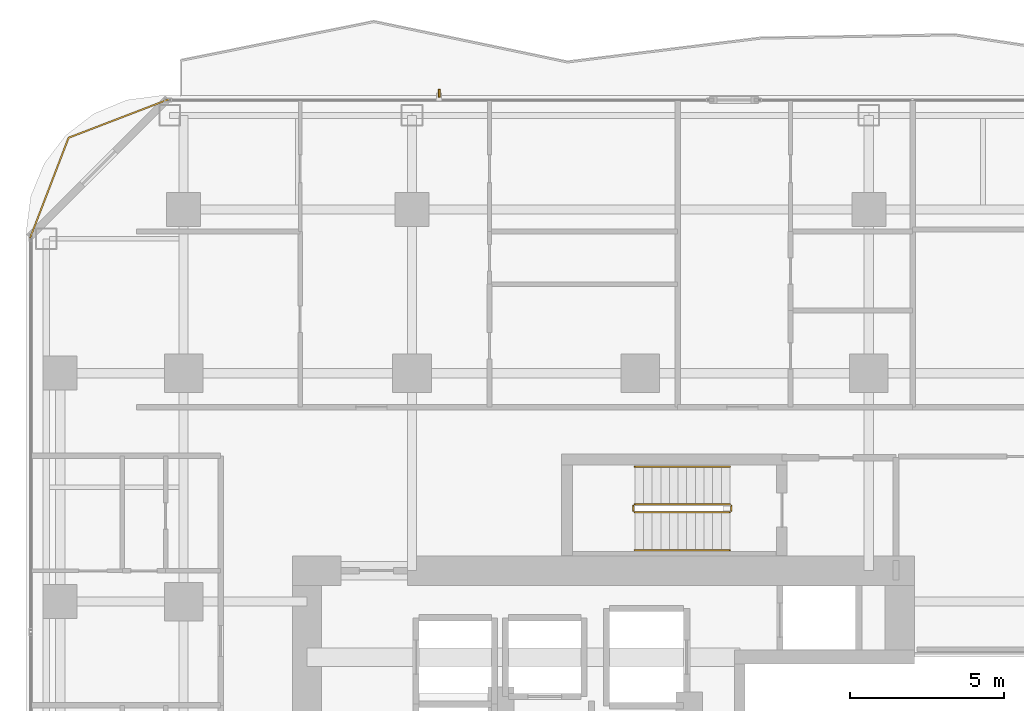
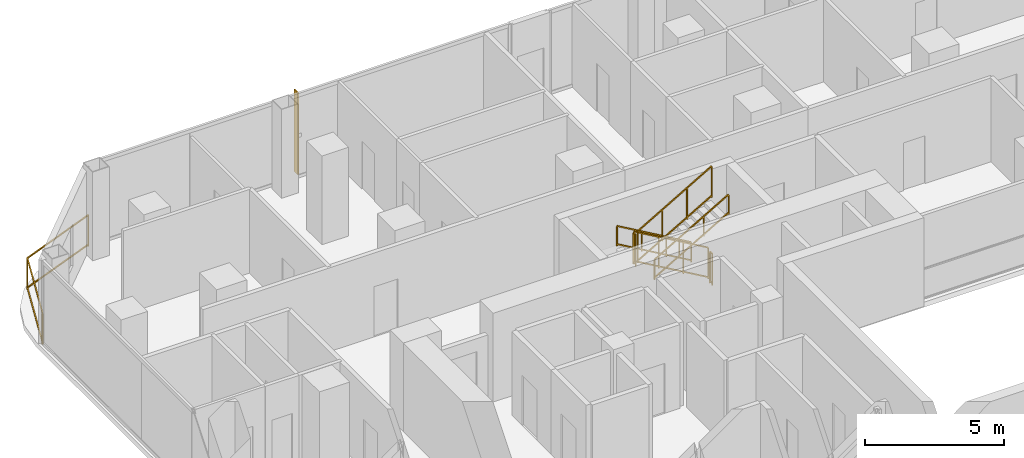
# One storey, part 27 of 29: 7 railings, 1 shading device.
"""IFC4 building model written with IfcOpenShell, lengths in metres."""

from ifc_helpers import new_model, si_unit, direction, frame, origin, origin_2d, place, context, subcontext, project, spatial, rectangle, extrude, material, layer, layer_set, type_object, element, save


model = new_model("IFC4")

# Units and contexts
model_context = context("Model", 3, precision=1e-05, world=origin(), true_north=direction((0.0, 1.0)))
body_context = subcontext(model_context, "Body", "Model", "MODEL_VIEW")
ifc_project = project(units=[si_unit("LENGTHUNIT", "METRE"), si_unit("AREAUNIT", "SQUARE_METRE"), si_unit("VOLUMEUNIT", "CUBIC_METRE"), si_unit("PLANEANGLEUNIT", "RADIAN"), si_unit("MASSUNIT", "GRAM", prefix="KILO")], contexts=[model_context])

# Site, building, storey
site_placement = place(None, origin())
site = spatial("IfcSite", under=ifc_project, at=site_placement, CompositionType="ELEMENT")
building_placement = place(site_placement, origin())
building = spatial("IfcBuilding", under=site, at=building_placement, Name="Khorvyn Point Tower", CompositionType="ELEMENT")
storey_placement = place(building_placement, frame((0.0, 0.0, 144.60009765625)))
storey = spatial("IfcBuildingStorey", under=building, at=storey_placement, Name="L36", CompositionType="ELEMENT", Elevation=144.60009765625)

# Railing
ifc_material_1 = material(Name="Anodised aluminium 6063-T6 and laminated safety glass", Category="aluminium")
railing_type_1 = type_object("IfcRailingType", Name="Laminated Glass and Aluminium Balcony Guardrail 1400", PredefinedType="BALUSTRADE", material=ifc_material_1)
railing_1_placement = place(storey_placement, frame((-15.27587890625, 23.674072265625, 0.0)))
element("IfcRailing", 1, at=railing_1_placement, inside=storey, type_object=railing_type_1, Name="L36 Rounded Corner Edge Guardrail NW", PredefinedType="BALUSTRADE", context=body_context, shape_type="SweptSolid", body=[
    extrude(rectangle(XDim=0.048095703125, YDim=0.048095703125, at=origin_2d()), frame((0.0, 0.0, 1.3759765625), z_axis=(-0.933598390295, -0.358321148746, 0.0), x_axis=(0.358321148746, -0.933598390295, 0.0)), (0.0, 0.0, 1.0), 3.481689453125),
    extrude(rectangle(XDim=0.048095703125, YDim=0.048095703125, at=origin_2d()), frame((0.0, 0.0, 0.080078125), z_axis=(-0.933598390295, -0.358321148746, 0.0), x_axis=(0.358321148746, -0.933598390295, 0.0)), (0.0, 0.0, 1.0), 3.481689453125),
    extrude(rectangle(XDim=0.048095703125, YDim=0.048095703125, at=origin_2d()), frame((-3.25048828125, -1.24755859375, 1.3759765625), z_axis=(-0.358382264808, -0.933574931257, 0.0), x_axis=(0.933574931257, -0.358382264808, 0.0)), (0.0, 0.0, 1.0), 3.481689453125),
    extrude(rectangle(XDim=0.048095703125, YDim=0.048095703125, at=origin_2d()), frame((-3.25048828125, -1.24755859375, 0.080078125), z_axis=(-0.358382264808, -0.933574931257, 0.0), x_axis=(0.933574931257, -0.358382264808, 0.0)), (0.0, 0.0, 1.0), 3.481689453125),
    extrude(rectangle(XDim=0.0419921875, YDim=0.0419921875, at=origin_2d()), origin(), (0.0, 0.0, 1.0), 1.351806640625),
    extrude(rectangle(XDim=0.0419921875, YDim=0.0419921875, at=origin_2d()), frame((-3.25048828125, -1.24755859375, 0.0)), (0.0, 0.0, 1.0), 1.351806640625),
    extrude(rectangle(XDim=0.0419921875, YDim=0.0419921875, at=origin_2d()), frame((-4.498291015625, -4.498046875, 0.0)), (0.0, 0.0, 1.0), 1.351806640625),
])

# Shading device
ifc_material_2 = material(Name="Pale anodised aluminium 6063-T6", Category="aluminium")
ifc_layer = layer(ifc_material_2, 0.054931640625)
ifc_layer_set = layer_set([ifc_layer], Name="Pale Anodised Aluminium FIN 260x55")
shading_device_type = type_object("IfcShadingDeviceType", Name="Pale Anodised Aluminium FIN 260x55", PredefinedType="USERDEFINED", material=ifc_layer_set)
shading_device_placement = place(storey_placement, frame((-6.51904296875, 23.8701171875, 0.039794921875), z_axis=(0.0, 0.0, 1.0), x_axis=(0.0, 1.0, 0.0)))
element("IfcShadingDevice", 2, at=shading_device_placement, inside=storey, type_object=shading_device_type, Name="L36 Anodised FIN 01", ObjectType="FIN", PredefinedType="USERDEFINED", context=body_context, shape_type="SweptSolid", body=[
    extrude(rectangle(XDim=0.260009765625, YDim=0.054931640625, at=origin_2d()), origin(), (0.0, 0.0, 1.0), 3.60009765625),
])

# Railings
ifc_material_3 = material(Name="Stainless steel 1.4301", Category="steel")
railing_type_2 = type_object("IfcRailingType", Name="Stainless Steel 304 Stair Pitch Handrail 900", PredefinedType="HANDRAIL", material=ifc_material_3)
railing_2_placement = place(storey_placement, frame((2.89990234375, 11.77001953125, 0.162353515625)))
element("IfcRailing", 3, at=railing_2_placement, inside=storey, type_object=railing_type_2, Name="L36 ST-02 stair handrail 1", PredefinedType="HANDRAIL", context=body_context, shape_type="SweptSolid", body=[
    extrude(rectangle(XDim=0.048095703125, YDim=0.048095703125, at=origin_2d()), frame((0.0, 0.0, 0.8759765625), z_axis=(-0.864873446163, 0.0, 0.501989962173), x_axis=(0.0, -1.0, 0.0)), (0.0, 0.0, 1.0), 3.56103515625),
    extrude(rectangle(XDim=0.048095703125, YDim=0.048095703125, at=origin_2d()), frame((0.0, 0.0, 0.080078125), z_axis=(-0.864873446163, 0.0, 0.501989962173), x_axis=(0.0, -1.0, 0.0)), (0.0, 0.0, 1.0), 3.56103515625),
    extrude(rectangle(XDim=0.0419921875, YDim=0.0419921875, at=origin_2d()), origin(), (0.0, 0.0, 1.0), 0.851806640625),
    extrude(rectangle(XDim=0.0419921875, YDim=0.0419921875, at=origin_2d()), frame((-1.026611328125, 0.0, 0.595947265625)), (0.0, 0.0, 1.0), 0.851806640625),
    extrude(rectangle(XDim=0.0419921875, YDim=0.0419921875, at=origin_2d()), frame((-2.05322265625, 0.0, 1.191650390625)), (0.0, 0.0, 1.0), 0.851806640625),
    extrude(rectangle(XDim=0.0419921875, YDim=0.0419921875, at=origin_2d()), frame((-3.079833984375, 0.0, 1.78759765625)), (0.0, 0.0, 1.0), 0.851806640625),
])
railing_3_placement = place(storey_placement, frame((-0.179931640625, 9.070068359375, 2.1123046875)))
element("IfcRailing", 4, at=railing_3_placement, inside=storey, type_object=railing_type_2, Name="L36 ST-02 stair handrail 2", PredefinedType="HANDRAIL", context=body_context, shape_type="SweptSolid", body=[
    extrude(rectangle(XDim=0.048095703125, YDim=0.048095703125, at=origin_2d()), frame((0.0, 0.0, 0.8759765625), z_axis=(0.864873446163, 0.0, 0.501989962173), x_axis=(0.0, 1.0, 0.0)), (0.0, 0.0, 1.0), 3.56103515625),
    extrude(rectangle(XDim=0.048095703125, YDim=0.048095703125, at=origin_2d()), frame((0.0, 0.0, 0.080078125), z_axis=(0.864873446163, 0.0, 0.501989962173), x_axis=(0.0, 1.0, 0.0)), (0.0, 0.0, 1.0), 3.56103515625),
    extrude(rectangle(XDim=0.0419921875, YDim=0.0419921875, at=origin_2d()), origin(), (0.0, 0.0, 1.0), 0.851806640625),
    extrude(rectangle(XDim=0.0419921875, YDim=0.0419921875, at=origin_2d()), frame((1.026611328125, 0.0, 0.595947265625)), (0.0, 0.0, 1.0), 0.851806640625),
    extrude(rectangle(XDim=0.0419921875, YDim=0.0419921875, at=origin_2d()), frame((2.05322265625, 0.0, 1.191650390625)), (0.0, 0.0, 1.0), 0.851806640625),
    extrude(rectangle(XDim=0.0419921875, YDim=0.0419921875, at=origin_2d()), frame((3.079833984375, 0.0, 1.78759765625)), (0.0, 0.0, 1.0), 0.851806640625),
])
railing_type_3 = type_object("IfcRailingType", Name="Stainless Steel 304 Stair Well Guardrail 1400", PredefinedType="GUARDRAIL", material=ifc_material_3)
railing_4_placement = place(storey_placement, frame((2.89990234375, 10.550048828125, 0.162353515625)))
element("IfcRailing", 5, at=railing_4_placement, inside=storey, type_object=railing_type_3, Name="L36 ST-02 stair guard 1", PredefinedType="GUARDRAIL", context=body_context, shape_type="SweptSolid", body=[
    extrude(rectangle(XDim=0.048095703125, YDim=0.048095703125, at=origin_2d()), frame((0.0, 0.0, 1.3759765625), z_axis=(-0.864873446163, 0.0, 0.501989962173), x_axis=(0.0, -1.0, 0.0)), (0.0, 0.0, 1.0), 3.56103515625),
    extrude(rectangle(XDim=0.048095703125, YDim=0.048095703125, at=origin_2d()), frame((0.0, 0.0, 0.080078125), z_axis=(-0.864873446163, 0.0, 0.501989962173), x_axis=(0.0, -1.0, 0.0)), (0.0, 0.0, 1.0), 3.56103515625),
    extrude(rectangle(XDim=0.0419921875, YDim=0.0419921875, at=origin_2d()), origin(), (0.0, 0.0, 1.0), 1.351806640625),
    extrude(rectangle(XDim=0.0419921875, YDim=0.0419921875, at=origin_2d()), frame((-1.026611328125, 0.0, 0.595947265625)), (0.0, 0.0, 1.0), 1.351806640625),
    extrude(rectangle(XDim=0.0419921875, YDim=0.0419921875, at=origin_2d()), frame((-2.05322265625, 0.0, 1.191650390625)), (0.0, 0.0, 1.0), 1.351806640625),
    extrude(rectangle(XDim=0.0419921875, YDim=0.0419921875, at=origin_2d()), frame((-3.079833984375, 0.0, 1.78759765625)), (0.0, 0.0, 1.0), 1.351806640625),
])
railing_5_placement = place(storey_placement, frame((-0.22998046875, 10.5, 1.949951171875)))
element("IfcRailing", 6, at=railing_5_placement, inside=storey, type_object=railing_type_3, Name="L36 ST-02 stair guard 2", PredefinedType="GUARDRAIL", context=body_context, shape_type="SweptSolid", body=[
    extrude(rectangle(XDim=0.048095703125, YDim=0.048095703125, at=origin_2d()), frame((0.0, 0.0, 1.3759765625), z_axis=(0.0, -1.0, 0.0), x_axis=(1.0, 0.0, 0.0)), (0.0, 0.0, 1.0), 0.159912109375),
    extrude(rectangle(XDim=0.048095703125, YDim=0.048095703125, at=origin_2d()), frame((0.0, 0.0, 0.080078125), z_axis=(0.0, -1.0, 0.0), x_axis=(1.0, 0.0, 0.0)), (0.0, 0.0, 1.0), 0.159912109375),
    extrude(rectangle(XDim=0.0419921875, YDim=0.0419921875, at=origin_2d()), origin(), (0.0, 0.0, 1.0), 1.351806640625),
    extrude(rectangle(XDim=0.0419921875, YDim=0.0419921875, at=origin_2d()), frame((0.0, -0.159912109375, 0.0)), (0.0, 0.0, 1.0), 1.351806640625),
])
railing_6_placement = place(storey_placement, frame((-0.179931640625, 10.2900390625, 2.1123046875)))
element("IfcRailing", 7, at=railing_6_placement, inside=storey, type_object=railing_type_3, Name="L36 ST-02 stair guard 3", PredefinedType="GUARDRAIL", context=body_context, shape_type="SweptSolid", body=[
    extrude(rectangle(XDim=0.048095703125, YDim=0.048095703125, at=origin_2d()), frame((0.0, 0.0, 1.3759765625), z_axis=(0.864873446163, 0.0, 0.501989962173), x_axis=(0.0, 1.0, 0.0)), (0.0, 0.0, 1.0), 3.56103515625),
    extrude(rectangle(XDim=0.048095703125, YDim=0.048095703125, at=origin_2d()), frame((0.0, 0.0, 0.080078125), z_axis=(0.864873446163, 0.0, 0.501989962173), x_axis=(0.0, 1.0, 0.0)), (0.0, 0.0, 1.0), 3.56103515625),
    extrude(rectangle(XDim=0.0419921875, YDim=0.0419921875, at=origin_2d()), origin(), (0.0, 0.0, 1.0), 1.351806640625),
    extrude(rectangle(XDim=0.0419921875, YDim=0.0419921875, at=origin_2d()), frame((1.026611328125, 0.0, 0.595947265625)), (0.0, 0.0, 1.0), 1.351806640625),
    extrude(rectangle(XDim=0.0419921875, YDim=0.0419921875, at=origin_2d()), frame((2.05322265625, 0.0, 1.191650390625)), (0.0, 0.0, 1.0), 1.351806640625),
    extrude(rectangle(XDim=0.0419921875, YDim=0.0419921875, at=origin_2d()), frame((3.079833984375, 0.0, 1.78759765625)), (0.0, 0.0, 1.0), 1.351806640625),
])
railing_7_placement = place(storey_placement, frame((2.949951171875, 10.5, 0.0)))
element("IfcRailing", 8, at=railing_7_placement, inside=storey, type_object=railing_type_3, Name="L36 ST-02 stair guard 4", PredefinedType="GUARDRAIL", context=body_context, shape_type="SweptSolid", body=[
    extrude(rectangle(XDim=0.048095703125, YDim=0.048095703125, at=origin_2d()), frame((0.0, 0.0, 1.3759765625), z_axis=(0.0, -1.0, 0.0), x_axis=(1.0, 0.0, 0.0)), (0.0, 0.0, 1.0), 0.159912109375),
    extrude(rectangle(XDim=0.048095703125, YDim=0.048095703125, at=origin_2d()), frame((0.0, 0.0, 0.080078125), z_axis=(0.0, -1.0, 0.0), x_axis=(1.0, 0.0, 0.0)), (0.0, 0.0, 1.0), 0.159912109375),
    extrude(rectangle(XDim=0.0419921875, YDim=0.0419921875, at=origin_2d()), origin(), (0.0, 0.0, 1.0), 1.351806640625),
    extrude(rectangle(XDim=0.0419921875, YDim=0.0419921875, at=origin_2d()), frame((0.0, -0.159912109375, 0.0)), (0.0, 0.0, 1.0), 1.351806640625),
])

save(model, "model.ifc")
